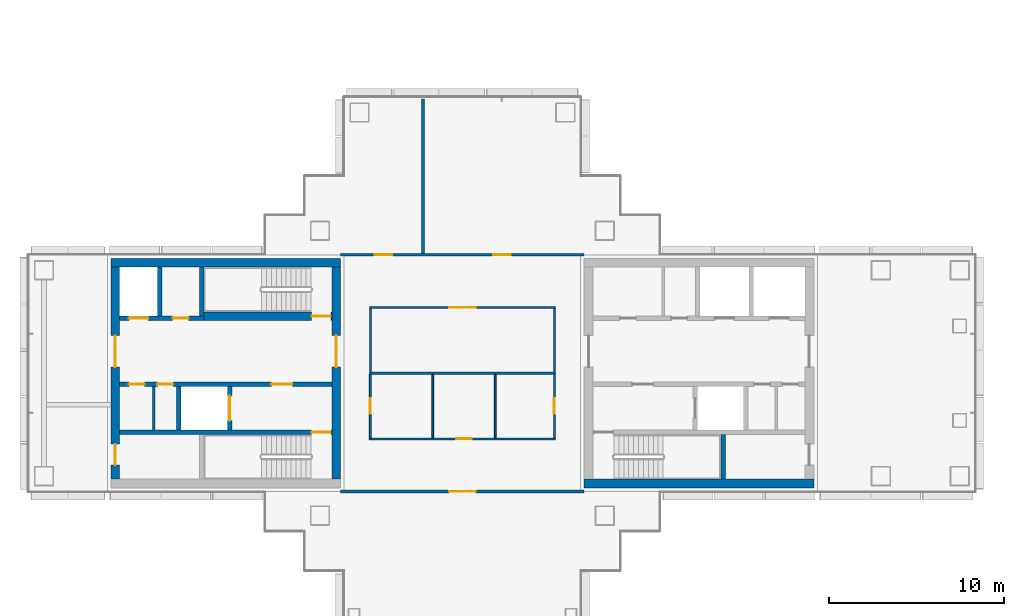
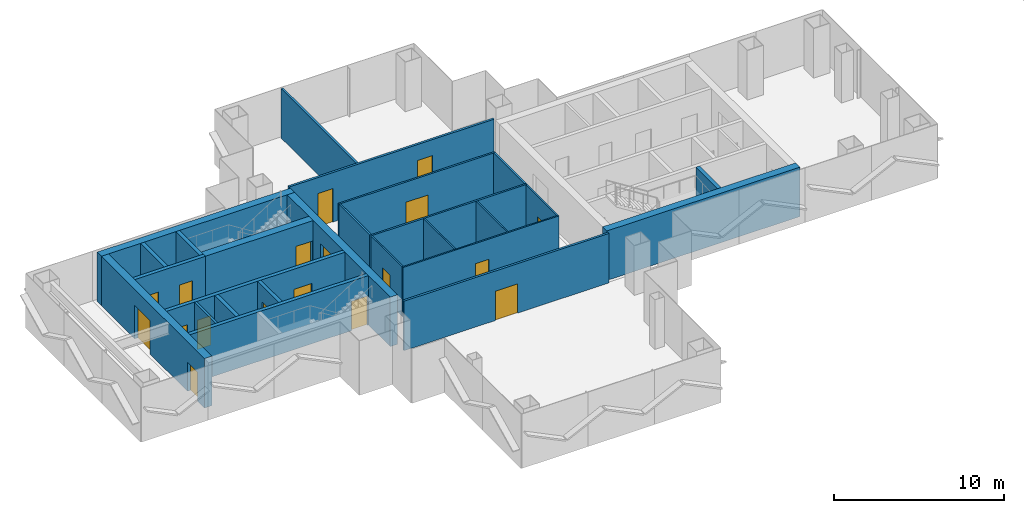
# One storey, part 9 of 16: 26 walls, 18 doors, 18 openings.
"""IFC4 building model written with IfcOpenShell, lengths in metres."""

from ifc_helpers import new_model, si_unit, direction, frame, frame_2d, origin, place, context, subcontext, project, spatial, rectangle, extrude, material, layer, layer_set, type_object, element, fill, save


model = new_model("IFC4")

# Units and contexts
model_context = context("Model", 3, precision=1e-05, world=origin(), true_north=direction((0.0, 1.0)))
body_context = subcontext(model_context, "Body", "Model", "MODEL_VIEW")
ifc_project = project(units=[si_unit("LENGTHUNIT", "METRE"), si_unit("AREAUNIT", "SQUARE_METRE"), si_unit("VOLUMEUNIT", "CUBIC_METRE"), si_unit("PLANEANGLEUNIT", "RADIAN"), si_unit("MASSUNIT", "GRAM", prefix="KILO")], contexts=[model_context])

# Site, building, storey
site_placement = place(None, origin())
site = spatial("IfcSite", under=ifc_project, at=site_placement, CompositionType="ELEMENT")
building_placement = place(site_placement, origin())
building = spatial("IfcBuilding", under=site, at=building_placement, Name="Shamsa Quay Exchange Towers", CompositionType="ELEMENT")
storey_placement = place(building_placement, frame((0.0, 0.0, 166.199951171875)))
storey = spatial("IfcBuildingStorey", under=building, at=storey_placement, Name="L39", CompositionType="ELEMENT", Elevation=166.199951171875)

# Walls
ifc_material_1 = material(Name="Concrete C60/75", Category="concrete")
ifc_layer_1 = layer(ifc_material_1, 0.5)
ifc_layer_set_1 = layer_set([ifc_layer_1], Name="CORE WALL 500 C60/75")
wall_type_1 = type_object("IfcWallType", Name="CORE WALL 500 C60/75", PredefinedType="SHEAR", material=ifc_layer_set_1)
wall_1_placement = place(storey_placement, frame((-26.800048828125, -6.300048828125, 0.0)))
element("IfcWall", 1, at=wall_1_placement, inside=storey, type_object=wall_type_1, Name="Core wall T1A-R18-PS", PredefinedType="SHEAR", context=body_context, shape_type="SweptSolid", body=[
    extrude(rectangle(XDim=13.10009765625, YDim=0.5, at=frame_2d((6.550048828125, 0.0))), origin(), (0.0, 0.0, 1.0), 3.550048828125),
])
wall_2_placement = place(storey_placement, frame((-40.699951171875, 6.300048828125, 0.0), z_axis=(0.0, 0.0, 1.0), x_axis=(-1.0, 0.0, 0.0)))
element("IfcWall", 2, at=wall_2_placement, inside=storey, type_object=wall_type_1, Name="Core wall T1B-R18-PN", PredefinedType="SHEAR", context=body_context, shape_type="SweptSolid", body=[
    extrude(rectangle(XDim=13.10009765625, YDim=0.5, at=frame_2d((6.550048828125, 0.0))), origin(), (0.0, 0.0, 1.0), 3.550048828125),
])

# Wall, opening, door
wall_3_placement = place(storey_placement, frame((-40.949951171875, -6.050048828125, 0.0), z_axis=(0.0, 0.0, 1.0), x_axis=(0.0, 1.0, 0.0)))
wall_3 = element("IfcWall", 3, at=wall_3_placement, inside=storey, type_object=wall_type_1, Name="Core wall T1B-R18-PF", PredefinedType="SHEAR", context=body_context, shape_type="SweptSolid", body=[
    extrude(rectangle(XDim=12.10009765625, YDim=0.5, at=frame_2d((6.050048828125, 0.0))), origin(), (0.0, 0.0, 1.0), 3.550048828125),
])
opening_1_placement = place(wall_3_placement, frame((6.39990234375, 0.0, 0.0)))
opening_1 = element("IfcOpeningElement", 4, at=opening_1_placement, cuts=wall_3, Name="Opening T1B-R18-LBD01", PredefinedType="OPENING", context=body_context, shape_type="SweptSolid", body=[
    extrude(rectangle(XDim=1.800048828125, YDim=2.39990234375, at=frame_2d((0.89990234375, 1.199951171875))), frame((0.0, 0.260009765625, 0.0), z_axis=(0.0, -1.0, 0.0), x_axis=(1.0, 0.0, 0.0)), (0.0, 0.0, 1.0), 0.52001953125),
])
ifc_material_2 = material(Name="Steel, fire rated", Category="steel")
door_type_1 = type_object("IfcDoorType", Name="LIFT LOBBY DOOR PAIR 1800", OperationType="DOUBLE_DOOR_SINGLE_SWING", PredefinedType="DOOR", material=ifc_material_2)
door_1_placement = place(opening_1_placement, origin())
door_1 = element("IfcDoor", 5, at=door_1_placement, inside=storey, type_object=door_type_1, Name="T1B-R18-LBD01", OperationType="DOUBLE_DOOR_SINGLE_SWING", OverallHeight=2.39990234375, OverallWidth=1.800048828125, PredefinedType="DOOR", context=body_context, shape_type="SweptSolid", body=[
    extrude(rectangle(XDim=1.800048828125, YDim=2.39990234375, at=frame_2d((0.89990234375, 1.199951171875))), frame((0.0, 0.02490234375, 0.0), z_axis=(0.0, -1.0, 0.0), x_axis=(1.0, 0.0, 0.0)), (0.0, 0.0, 1.0), 0.050048828125),
])
fill(opening_1, door_1)

# Wall, openings, doors
wall_4_placement = place(storey_placement, frame((-53.550048828125, -6.050048828125, 0.0), z_axis=(0.0, 0.0, 1.0), x_axis=(0.0, 1.0, 0.0)))
wall_4 = element("IfcWall", 6, at=wall_4_placement, inside=storey, type_object=wall_type_1, Name="Core wall T1B-R18-PB", PredefinedType="SHEAR", context=body_context, shape_type="SweptSolid", body=[
    extrude(rectangle(XDim=12.10009765625, YDim=0.5, at=frame_2d((6.050048828125, 0.0))), origin(), (0.0, 0.0, 1.0), 3.550048828125),
])
opening_2_placement = place(wall_4_placement, frame((0.800048828125, 0.0, 0.0)))
opening_2 = element("IfcOpeningElement", 7, at=opening_2_placement, cuts=wall_4, Name="Opening T1B-R18-RD02", PredefinedType="OPENING", context=body_context, shape_type="SweptSolid", body=[
    extrude(rectangle(XDim=1.199951171875, YDim=2.10009765625, at=frame_2d((0.60009765625, 1.050048828125))), frame((0.0, 0.260009765625, 0.0), z_axis=(0.0, -1.0, 0.0), x_axis=(1.0, 0.0, 0.0)), (0.0, 0.0, 1.0), 0.52001953125),
])
opening_3_placement = place(wall_4_placement, frame((6.39990234375, 0.0, 0.0)))
opening_3 = element("IfcOpeningElement", 8, at=opening_3_placement, cuts=wall_4, Name="Opening T1B-R18-LBD03", PredefinedType="OPENING", context=body_context, shape_type="SweptSolid", body=[
    extrude(rectangle(XDim=1.800048828125, YDim=2.39990234375, at=frame_2d((0.89990234375, 1.199951171875))), frame((0.0, 0.260009765625, 0.0), z_axis=(0.0, -1.0, 0.0), x_axis=(1.0, 0.0, 0.0)), (0.0, 0.0, 1.0), 0.52001953125),
])
door_2_placement = place(opening_3_placement, origin())
door_2 = element("IfcDoor", 9, at=door_2_placement, inside=storey, type_object=door_type_1, Name="T1B-R18-LBD03", OperationType="DOUBLE_DOOR_SINGLE_SWING", OverallHeight=2.39990234375, OverallWidth=1.800048828125, PredefinedType="DOOR", context=body_context, shape_type="SweptSolid", body=[
    extrude(rectangle(XDim=1.800048828125, YDim=2.39990234375, at=frame_2d((0.89990234375, 1.199951171875))), frame((0.0, 0.02490234375, 0.0), z_axis=(0.0, -1.0, 0.0), x_axis=(1.0, 0.0, 0.0)), (0.0, 0.0, 1.0), 0.050048828125),
])
fill(opening_3, door_2)
door_type_2 = type_object("IfcDoorType", Name="RISER ACCESS DOOR 1200", OperationType="SINGLE_SWING_LEFT", PredefinedType="DOOR", material=ifc_material_2)
door_3_placement = place(opening_2_placement, origin())
door_3 = element("IfcDoor", 10, at=door_3_placement, inside=storey, type_object=door_type_2, Name="T1B-R18-RD02", OperationType="SINGLE_SWING_LEFT", OverallHeight=2.10009765625, OverallWidth=1.199951171875, PredefinedType="DOOR", context=body_context, shape_type="SweptSolid", body=[
    extrude(rectangle(XDim=1.199951171875, YDim=2.10009765625, at=frame_2d((0.60009765625, 1.050048828125))), frame((0.0, 0.02490234375, 0.0), z_axis=(0.0, -1.0, 0.0), x_axis=(1.0, 0.0, 0.0)), (0.0, 0.0, 1.0), 0.050048828125),
])
fill(opening_2, door_3)

# Walls
ifc_material_3 = material(Name="Gypsum board on steel studs, EI 60", Category="steel")
ifc_layer_2 = layer(ifc_material_3, 0.14990234375)
ifc_layer_set_2 = layer_set([ifc_layer_2], Name="FIRE PARTITION 150")
wall_type_2 = type_object("IfcWallType", Name="FIRE PARTITION 150", PredefinedType="PARTITIONING", material=ifc_layer_set_2)
wall_5_placement = place(storey_placement, frame((-51.35009765625, -3.25, 0.0), z_axis=(0.0, 0.0, 1.0), x_axis=(0.0, 1.0, 0.0)))
element("IfcWall", 11, at=wall_5_placement, inside=storey, type_object=wall_type_2, Name="Partition T1B-R18-EC0", PredefinedType="PARTITIONING", context=body_context, shape_type="SweptSolid", body=[
    extrude(rectangle(XDim=2.5, YDim=0.14990234375, at=frame_2d((1.25, 0.0))), origin(), (0.0, 0.0, 1.0), 3.550048828125),
])
ifc_material_4 = material(Name="Laminated fire-resisting glass in a metal frame", Category="glass")
ifc_layer_3 = layer(ifc_material_4, 0.125)
ifc_layer_set_3 = layer_set([ifc_layer_3], Name="Glazed partition 125 mm EI 60")
wall_type_3 = type_object("IfcWallType", Name="Glazed partition 125 mm EI 60", PredefinedType="PARTITIONING", material=ifc_layer_set_3)
for number, where, z_axis, x_axis, name in (
    (12, (-39.0, 3.6875, 0.0), (0.0, 0.0, 1.0), (0.0, -1.0, 0.0), "Partition T1-R18-W04"),
    (13, (-28.5, 0.0625, 0.0), (0.0, 0.0, 1.0), (0.0, 1.0, 0.0), "Partition T1-R18-W05"),
):
    element("IfcWall", number, at=place(storey_placement, frame(where, z_axis=z_axis, x_axis=x_axis)), inside=storey, type_object=wall_type_3, Name=name, PredefinedType="PARTITIONING", context=body_context, shape_type="SweptSolid", body=[
        extrude(rectangle(XDim=3.625, YDim=0.125, at=frame_2d((1.8125, 0.0))), origin(), (0.0, 0.0, 1.0), 3.550048828125),
    ])

# Wall, opening, door
wall_6_placement = place(storey_placement, frame((-28.4375, 3.75, 0.0), z_axis=(0.0, 0.0, 1.0), x_axis=(-1.0, 0.0, 0.0)))
wall_6 = element("IfcWall", 14, at=wall_6_placement, inside=storey, type_object=wall_type_3, Name="Partition T1-R18-W06", PredefinedType="PARTITIONING", context=body_context, shape_type="SweptSolid", body=[
    extrude(rectangle(XDim=10.625, YDim=0.125, at=frame_2d((5.3125, 0.0))), origin(), (0.0, 0.0, 1.0), 3.550048828125),
])
opening_4_placement = place(wall_6_placement, frame((4.5625, 0.0, 0.0)))
opening_4 = element("IfcOpeningElement", 15, at=opening_4_placement, cuts=wall_6, Name="Opening T1-R18-D06", PredefinedType="OPENING", context=body_context, shape_type="SweptSolid", body=[
    extrude(rectangle(XDim=1.5, YDim=2.10009765625, at=frame_2d((0.75, 1.050048828125))), frame((0.0, 0.072509765625, 0.0), z_axis=(0.0, -1.0, 0.0), x_axis=(1.0, 0.0, 0.0)), (0.0, 0.0, 1.0), 0.14501953125),
])
ifc_material_5 = material(Name="Timber door leaf in a metal frame", Category="wood")
door_type_3 = type_object("IfcDoorType", Name="Door 1500x2100 FD30S pair", OperationType="NOTDEFINED", PredefinedType="DOOR", material=ifc_material_5)
door_4_placement = place(opening_4_placement, origin())
door_4 = element("IfcDoor", 16, at=door_4_placement, inside=storey, type_object=door_type_3, Name="Door T1-R18-D06", OperationType="DOUBLE_DOOR_SINGLE_SWING", OverallHeight=2.10009765625, OverallWidth=1.5, PredefinedType="DOOR", context=body_context, shape_type="SweptSolid", body=[
    extrude(rectangle(XDim=1.5, YDim=2.10009765625, at=frame_2d((0.75, 1.050048828125))), frame((0.0, 0.02490234375, 0.0), z_axis=(0.0, -1.0, 0.0), x_axis=(1.0, 0.0, 0.0)), (0.0, 0.0, 1.0), 0.050048828125),
])
fill(opening_4, door_4)

# Wall
wall_7_placement = place(storey_placement, frame((-28.4375, 0.0, 0.0), z_axis=(0.0, 0.0, 1.0), x_axis=(-1.0, 0.0, 0.0)))
element("IfcWall", 17, at=wall_7_placement, inside=storey, type_object=wall_type_3, Name="Partition T1-R18-W10", PredefinedType="PARTITIONING", context=body_context, shape_type="SweptSolid", body=[
    extrude(rectangle(XDim=10.625, YDim=0.125, at=frame_2d((5.3125, 0.0))), origin(), (0.0, 0.0, 1.0), 3.550048828125),
])

# Wall, opening, door
ifc_material_6 = material(Name="Gypsum board partition on metal studs")
ifc_layer_4 = layer(ifc_material_6, 0.10009765625)
ifc_layer_set_4 = layer_set([ifc_layer_4], Name="Partition 100 mm NOT RATED")
wall_type_4 = type_object("IfcWallType", Name="Partition 100 mm NOT RATED", PredefinedType="PARTITIONING", material=ifc_layer_set_4)
wall_8_placement = place(storey_placement, frame((-39.0, -0.0625, 0.0), z_axis=(0.0, 0.0, 1.0), x_axis=(0.0, -1.0, 0.0)))
wall_8 = element("IfcWall", 18, at=wall_8_placement, inside=storey, type_object=wall_type_4, Name="Partition T1-R18-W01", PredefinedType="PARTITIONING", context=body_context, shape_type="SweptSolid", body=[
    extrude(rectangle(XDim=3.637451171875, YDim=0.10009765625, at=frame_2d((1.81884765625, 0.0))), origin(), (0.0, 0.0, 1.0), 3.550048828125),
])
opening_5_placement = place(wall_8_placement, frame((1.362548828125, 0.0, 0.0)))
opening_5 = element("IfcOpeningElement", 19, at=opening_5_placement, cuts=wall_8, Name="Opening T1-R18-D04", PredefinedType="OPENING", context=body_context, shape_type="SweptSolid", body=[
    extrude(rectangle(XDim=0.89990234375, YDim=2.10009765625, at=frame_2d((0.449951171875, 1.050048828125))), frame((0.0, 0.06005859375, 0.0), z_axis=(0.0, -1.0, 0.0), x_axis=(1.0, 0.0, 0.0)), (0.0, 0.0, 1.0), 0.1201171875),
])
door_type_4 = type_object("IfcDoorType", Name="Door 900x2100 NOT RATED", OperationType="NOTDEFINED", PredefinedType="DOOR", material=ifc_material_5)
door_5_placement = place(opening_5_placement, origin())
door_5 = element("IfcDoor", 20, at=door_5_placement, inside=storey, type_object=door_type_4, Name="Door T1-R18-D04", OperationType="SINGLE_SWING_LEFT", OverallHeight=2.10009765625, OverallWidth=0.89990234375, PredefinedType="DOOR", context=body_context, shape_type="SweptSolid", body=[
    extrude(rectangle(XDim=0.89990234375, YDim=2.10009765625, at=frame_2d((0.449951171875, 1.050048828125))), frame((0.0, 0.02490234375, 0.0), z_axis=(0.0, -1.0, 0.0), x_axis=(1.0, 0.0, 0.0)), (0.0, 0.0, 1.0), 0.050048828125),
])
fill(opening_5, door_5)

wall_9_placement = place(storey_placement, frame((-39.050048828125, -3.75, 0.0)))
wall_9 = element("IfcWall", 21, at=wall_9_placement, inside=storey, type_object=wall_type_4, Name="Partition T1-R18-W02", PredefinedType="PARTITIONING", context=body_context, shape_type="SweptSolid", body=[
    extrude(rectangle(XDim=10.60009765625, YDim=0.10009765625, at=frame_2d((5.300048828125, 0.0))), origin(), (0.0, 0.0, 1.0), 3.550048828125),
])
opening_6_placement = place(wall_9_placement, frame((4.943603515625, 0.0, 0.0)))
opening_6 = element("IfcOpeningElement", 22, at=opening_6_placement, cuts=wall_9, Name="Opening T1-R18-D03", PredefinedType="OPENING", context=body_context, shape_type="SweptSolid", body=[
    extrude(rectangle(XDim=0.89990234375, YDim=2.10009765625, at=frame_2d((0.449951171875, 1.050048828125))), frame((0.0, 0.06005859375, 0.0), z_axis=(0.0, -1.0, 0.0), x_axis=(1.0, 0.0, 0.0)), (0.0, 0.0, 1.0), 0.1201171875),
])
door_6_placement = place(opening_6_placement, origin())
door_6 = element("IfcDoor", 23, at=door_6_placement, inside=storey, type_object=door_type_4, Name="Door T1-R18-D03", OperationType="SINGLE_SWING_RIGHT", OverallHeight=2.10009765625, OverallWidth=0.89990234375, PredefinedType="DOOR", context=body_context, shape_type="SweptSolid", body=[
    extrude(rectangle(XDim=0.89990234375, YDim=2.10009765625, at=frame_2d((0.449951171875, 1.050048828125))), frame((0.0, 0.02490234375, 0.0), z_axis=(0.0, -1.0, 0.0), x_axis=(1.0, 0.0, 0.0)), (0.0, 0.0, 1.0), 0.050048828125),
])
fill(opening_6, door_6)

wall_10_placement = place(storey_placement, frame((-28.5, -3.699951171875, 0.0), z_axis=(0.0, 0.0, 1.0), x_axis=(0.0, 1.0, 0.0)))
wall_10 = element("IfcWall", 24, at=wall_10_placement, inside=storey, type_object=wall_type_4, Name="Partition T1-R18-W03", PredefinedType="PARTITIONING", context=body_context, shape_type="SweptSolid", body=[
    extrude(rectangle(XDim=3.637451171875, YDim=0.10009765625, at=frame_2d((1.81884765625, 0.0))), origin(), (0.0, 0.0, 1.0), 3.550048828125),
])
opening_7_placement = place(wall_10_placement, frame((1.375, 0.0, 0.0)))
opening_7 = element("IfcOpeningElement", 25, at=opening_7_placement, cuts=wall_10, Name="Opening T1-R18-D05", PredefinedType="OPENING", context=body_context, shape_type="SweptSolid", body=[
    extrude(rectangle(XDim=0.89990234375, YDim=2.10009765625, at=frame_2d((0.449951171875, 1.050048828125))), frame((0.0, 0.06005859375, 0.0), z_axis=(0.0, -1.0, 0.0), x_axis=(1.0, 0.0, 0.0)), (0.0, 0.0, 1.0), 0.1201171875),
])
door_7_placement = place(opening_7_placement, origin())
door_7 = element("IfcDoor", 26, at=door_7_placement, inside=storey, type_object=door_type_4, Name="Door T1-R18-D05", OperationType="SINGLE_SWING_RIGHT", OverallHeight=2.10009765625, OverallWidth=0.89990234375, PredefinedType="DOOR", context=body_context, shape_type="SweptSolid", body=[
    extrude(rectangle(XDim=0.89990234375, YDim=2.10009765625, at=frame_2d((0.449951171875, 1.050048828125))), frame((0.0, 0.02490234375, 0.0), z_axis=(0.0, -1.0, 0.0), x_axis=(1.0, 0.0, 0.0)), (0.0, 0.0, 1.0), 0.050048828125),
])
fill(opening_7, door_7)

# Walls
for number, where, z_axis, x_axis, name in (
    (27, (-35.4375, -3.699951171875, 0.0), (0.0, 0.0, 1.0), (0.0, 1.0, 0.0), "Partition T1-R18-W09"),
    (28, (-31.875, -3.699951171875, 0.0), (0.0, 0.0, 1.0), (0.0, 1.0, 0.0), "Partition T1-R18-W11"),
):
    element("IfcWall", number, at=place(storey_placement, frame(where, z_axis=z_axis, x_axis=x_axis)), inside=storey, type_object=wall_type_4, Name=name, PredefinedType="PARTITIONING", context=body_context, shape_type="SweptSolid", body=[
        extrude(rectangle(XDim=3.637451171875, YDim=0.10009765625, at=frame_2d((1.81884765625, 0.0))), origin(), (0.0, 0.0, 1.0), 3.550048828125),
    ])

# Wall, openings, doors
ifc_layer_5 = layer(ifc_material_6, 0.14990234375)
ifc_layer_set_5 = layer_set([ifc_layer_5], Name="Partition 150 mm EI 60")
wall_type_5 = type_object("IfcWallType", Name="Partition 150 mm EI 60", PredefinedType="PARTITIONING", material=ifc_layer_set_5)
wall_11_placement = place(storey_placement, frame((-40.699951171875, 6.75, 0.0)))
wall_11 = element("IfcWall", 29, at=wall_11_placement, inside=storey, type_object=wall_type_5, Name="Partition T1-R18-W07", PredefinedType="PARTITIONING", context=body_context, shape_type="SweptSolid", body=[
    extrude(rectangle(XDim=13.89990234375, YDim=0.14990234375, at=frame_2d((6.949951171875, 0.0))), origin(), (0.0, 0.0, 1.0), 3.550048828125),
])
opening_8_placement = place(wall_11_placement, frame((1.949951171875, 0.0, 0.0)))
opening_8 = element("IfcOpeningElement", 30, at=opening_8_placement, cuts=wall_11, Name="Opening T1-R18-D01", PredefinedType="OPENING", context=body_context, shape_type="SweptSolid", body=[
    extrude(rectangle(XDim=1.0, YDim=2.39990234375, at=frame_2d((0.5, 1.199951171875))), frame((0.0, 0.0849609375, 0.0), z_axis=(0.0, -1.0, 0.0), x_axis=(1.0, 0.0, 0.0)), (0.0, 0.0, 1.0), 0.169921875),
])
opening_9_placement = place(wall_11_placement, frame((8.699951171875, 0.0, 0.0)))
opening_9 = element("IfcOpeningElement", 31, at=opening_9_placement, cuts=wall_11, Name="Opening T1-R18-D02", PredefinedType="OPENING", context=body_context, shape_type="SweptSolid", body=[
    extrude(rectangle(XDim=1.0, YDim=2.39990234375, at=frame_2d((0.5, 1.199951171875))), frame((0.0, 0.0849609375, 0.0), z_axis=(0.0, -1.0, 0.0), x_axis=(1.0, 0.0, 0.0)), (0.0, 0.0, 1.0), 0.169921875),
])
door_type_5 = type_object("IfcDoorType", Name="Door 1000x2400 FD30S", OperationType="NOTDEFINED", PredefinedType="DOOR", material=ifc_material_5)
door_8_placement = place(opening_8_placement, origin())
door_8 = element("IfcDoor", 32, at=door_8_placement, inside=storey, type_object=door_type_5, Name="Door T1-R18-D01", OperationType="SINGLE_SWING_RIGHT", OverallHeight=2.39990234375, OverallWidth=1.0, PredefinedType="DOOR", context=body_context, shape_type="SweptSolid", body=[
    extrude(rectangle(XDim=1.0, YDim=2.39990234375, at=frame_2d((0.5, 1.199951171875))), frame((0.0, 0.02490234375, 0.0), z_axis=(0.0, -1.0, 0.0), x_axis=(1.0, 0.0, 0.0)), (0.0, 0.0, 1.0), 0.050048828125),
])
fill(opening_8, door_8)
door_9_placement = place(opening_9_placement, origin())
door_9 = element("IfcDoor", 33, at=door_9_placement, inside=storey, type_object=door_type_5, Name="Door T1-R18-D02", OperationType="SINGLE_SWING_LEFT", OverallHeight=2.39990234375, OverallWidth=1.0, PredefinedType="DOOR", context=body_context, shape_type="SweptSolid", body=[
    extrude(rectangle(XDim=1.0, YDim=2.39990234375, at=frame_2d((0.5, 1.199951171875))), frame((0.0, 0.02490234375, 0.0), z_axis=(0.0, -1.0, 0.0), x_axis=(1.0, 0.0, 0.0)), (0.0, 0.0, 1.0), 0.050048828125),
])
fill(opening_9, door_9)

# Wall, opening, door
wall_12_placement = place(storey_placement, frame((-26.800048828125, -6.75, 0.0), z_axis=(0.0, 0.0, 1.0), x_axis=(-1.0, 0.0, 0.0)))
wall_12 = element("IfcWall", 34, at=wall_12_placement, inside=storey, type_object=wall_type_5, Name="Partition T1-R18-W08", PredefinedType="PARTITIONING", context=body_context, shape_type="SweptSolid", body=[
    extrude(rectangle(XDim=13.89990234375, YDim=0.14990234375, at=frame_2d((6.949951171875, 0.0))), origin(), (0.0, 0.0, 1.0), 3.550048828125),
])
opening_10_placement = place(wall_12_placement, frame((6.199951171875, 0.0, 0.0)))
opening_10 = element("IfcOpeningElement", 35, at=opening_10_placement, cuts=wall_12, Name="Opening T1-R18-D07", PredefinedType="OPENING", context=body_context, shape_type="SweptSolid", body=[
    extrude(rectangle(XDim=1.5, YDim=2.10009765625, at=frame_2d((0.75, 1.050048828125))), frame((0.0, 0.0849609375, 0.0), z_axis=(0.0, -1.0, 0.0), x_axis=(1.0, 0.0, 0.0)), (0.0, 0.0, 1.0), 0.169921875),
])
door_10_placement = place(opening_10_placement, origin())
door_10 = element("IfcDoor", 36, at=door_10_placement, inside=storey, type_object=door_type_3, Name="Door T1-R18-D07", OperationType="DOUBLE_DOOR_SINGLE_SWING", OverallHeight=2.10009765625, OverallWidth=1.5, PredefinedType="DOOR", context=body_context, shape_type="SweptSolid", body=[
    extrude(rectangle(XDim=1.5, YDim=2.10009765625, at=frame_2d((0.75, 1.050048828125))), frame((0.0, 0.02490234375, 0.0), z_axis=(0.0, -1.0, 0.0), x_axis=(1.0, 0.0, 0.0)), (0.0, 0.0, 1.0), 0.050048828125),
])
fill(opening_10, door_10)

# Walls
wall_13_placement = place(storey_placement, frame((-36.0, 6.824951171875, 0.0), z_axis=(0.0, 0.0, 1.0), x_axis=(0.0, 1.0, 0.0)))
element("IfcWall", 37, at=wall_13_placement, inside=storey, type_object=wall_type_5, Name="Partition T1-R18-W12", PredefinedType="PARTITIONING", context=body_context, shape_type="SweptSolid", body=[
    extrude(rectangle(XDim=8.830078125, YDim=0.14990234375, at=frame_2d((4.4150390625, 0.0))), origin(), (0.0, 0.0, 1.0), 3.550048828125),
])
ifc_material_7 = material(Name="Concrete C50/60", Category="concrete")
ifc_layer_6 = layer(ifc_material_7, 0.25)
ifc_layer_set_6 = layer_set([ifc_layer_6], Name="SHAFT WALL 250 C50/60")
wall_type_6 = type_object("IfcWallType", Name="SHAFT WALL 250 C50/60", PredefinedType="SHEAR", material=ifc_layer_set_6)
wall_14_placement = place(storey_placement, frame((-18.875, -6.050048828125, 0.0), z_axis=(0.0, 0.0, 1.0), x_axis=(0.0, 1.0, 0.0)))
element("IfcWall", 38, at=wall_14_placement, inside=storey, type_object=wall_type_6, Name="Shaft wall T1A-R18-STF", PredefinedType="SHEAR", context=body_context, shape_type="SweptSolid", body=[
    extrude(rectangle(XDim=2.550048828125, YDim=0.25, at=frame_2d((1.27490234375, 0.0))), origin(), (0.0, 0.0, 1.0), 3.550048828125),
])

# Wall, opening, door
wall_15_placement = place(storey_placement, frame((-41.199951171875, -3.375, 0.0), z_axis=(0.0, 0.0, 1.0), x_axis=(-1.0, 0.0, 0.0)))
wall_15 = element("IfcWall", 39, at=wall_15_placement, inside=storey, type_object=wall_type_6, Name="Shaft wall T1B-R18-STL", PredefinedType="SHEAR", context=body_context, shape_type="SweptSolid", body=[
    extrude(rectangle(XDim=12.10009765625, YDim=0.25, at=frame_2d((6.050048828125, 0.0))), origin(), (0.0, 0.0, 1.0), 3.550048828125),
])
opening_11_placement = place(wall_15_placement, frame((0.050048828125, 0.0, 0.0)))
opening_11 = element("IfcOpeningElement", 40, at=opening_11_placement, cuts=wall_15, Name="Opening T1B-R18-SD04", PredefinedType="OPENING", context=body_context, shape_type="SweptSolid", body=[
    extrude(rectangle(XDim=1.10009765625, YDim=2.10009765625, at=frame_2d((0.550048828125, 1.050048828125))), frame((0.0, 0.135009765625, 0.0), z_axis=(0.0, -1.0, 0.0), x_axis=(1.0, 0.0, 0.0)), (0.0, 0.0, 1.0), 0.27001953125),
])
door_type_6 = type_object("IfcDoorType", Name="STAIR DOOR 1100", OperationType="SINGLE_SWING_LEFT", PredefinedType="DOOR", material=ifc_material_2)
door_11_placement = place(opening_11_placement, origin())
door_11 = element("IfcDoor", 41, at=door_11_placement, inside=storey, type_object=door_type_6, Name="T1B-R18-SD04", OperationType="SINGLE_SWING_LEFT", OverallHeight=2.10009765625, OverallWidth=1.10009765625, PredefinedType="DOOR", context=body_context, shape_type="SweptSolid", body=[
    extrude(rectangle(XDim=1.10009765625, YDim=2.10009765625, at=frame_2d((0.550048828125, 1.050048828125))), frame((0.0, 0.02490234375, 0.0), z_axis=(0.0, -1.0, 0.0), x_axis=(1.0, 0.0, 0.0)), (0.0, 0.0, 1.0), 0.050048828125),
])
fill(opening_11, door_11)

# Wall, openings, doors
wall_16_placement = place(storey_placement, frame((-41.199951171875, -0.625, 0.0), z_axis=(0.0, 0.0, 1.0), x_axis=(-1.0, 0.0, 0.0)))
wall_16 = element("IfcWall", 42, at=wall_16_placement, inside=storey, type_object=wall_type_6, Name="Shaft wall T1B-R18-B", PredefinedType="SHEAR", context=body_context, shape_type="SweptSolid", body=[
    extrude(rectangle(XDim=12.10009765625, YDim=0.25, at=frame_2d((6.050048828125, 0.0))), origin(), (0.0, 0.0, 1.0), 3.550048828125),
])
opening_12_placement = place(wall_16_placement, frame((2.25, 0.0, 0.0)))
opening_12 = element("IfcOpeningElement", 43, at=opening_12_placement, cuts=wall_16, Name="Opening T1B-R18-FD05", PredefinedType="OPENING", context=body_context, shape_type="SweptSolid", body=[
    extrude(rectangle(XDim=1.199951171875, YDim=2.10009765625, at=frame_2d((0.60009765625, 1.050048828125))), frame((0.0, 0.135009765625, 0.0), z_axis=(0.0, -1.0, 0.0), x_axis=(1.0, 0.0, 0.0)), (0.0, 0.0, 1.0), 0.27001953125),
])
opening_13_placement = place(wall_16_placement, frame((9.050048828125, 0.0, 0.0)))
opening_13 = element("IfcOpeningElement", 44, at=opening_13_placement, cuts=wall_16, Name="Opening T1B-R18-SV06", PredefinedType="OPENING", context=body_context, shape_type="SweptSolid", body=[
    extrude(rectangle(XDim=0.89990234375, YDim=2.10009765625, at=frame_2d((0.449951171875, 1.050048828125))), frame((0.0, 0.135009765625, 0.0), z_axis=(0.0, -1.0, 0.0), x_axis=(1.0, 0.0, 0.0)), (0.0, 0.0, 1.0), 0.27001953125),
])
opening_14_placement = place(wall_16_placement, frame((10.675048828125, 0.0, 0.0)))
opening_14 = element("IfcOpeningElement", 45, at=opening_14_placement, cuts=wall_16, Name="Opening T1B-R18-SV07", PredefinedType="OPENING", context=body_context, shape_type="SweptSolid", body=[
    extrude(rectangle(XDim=0.89990234375, YDim=2.10009765625, at=frame_2d((0.449951171875, 1.050048828125))), frame((0.0, 0.135009765625, 0.0), z_axis=(0.0, -1.0, 0.0), x_axis=(1.0, 0.0, 0.0)), (0.0, 0.0, 1.0), 0.27001953125),
])
door_type_7 = type_object("IfcDoorType", Name="FIRE SERVICE LOBBY DOOR 1200", OperationType="SINGLE_SWING_LEFT", PredefinedType="DOOR", material=ifc_material_2)
door_12_placement = place(opening_12_placement, origin())
door_12 = element("IfcDoor", 46, at=door_12_placement, inside=storey, type_object=door_type_7, Name="T1B-R18-FD05", OperationType="SINGLE_SWING_LEFT", OverallHeight=2.10009765625, OverallWidth=1.199951171875, PredefinedType="DOOR", context=body_context, shape_type="SweptSolid", body=[
    extrude(rectangle(XDim=1.199951171875, YDim=2.10009765625, at=frame_2d((0.60009765625, 1.050048828125))), frame((0.0, 0.02490234375, 0.0), z_axis=(0.0, -1.0, 0.0), x_axis=(1.0, 0.0, 0.0)), (0.0, 0.0, 1.0), 0.050048828125),
])
fill(opening_12, door_12)
door_type_8 = type_object("IfcDoorType", Name="SERVICE ROOM DOOR 900", OperationType="SINGLE_SWING_LEFT", PredefinedType="DOOR", material=ifc_material_2)
door_13_placement = place(opening_13_placement, origin())
door_13 = element("IfcDoor", 47, at=door_13_placement, inside=storey, type_object=door_type_8, Name="T1B-R18-SV06", OperationType="SINGLE_SWING_RIGHT", OverallHeight=2.10009765625, OverallWidth=0.89990234375, PredefinedType="DOOR", context=body_context, shape_type="SweptSolid", body=[
    extrude(rectangle(XDim=0.89990234375, YDim=2.10009765625, at=frame_2d((0.449951171875, 1.050048828125))), frame((0.0, 0.02490234375, 0.0), z_axis=(0.0, -1.0, 0.0), x_axis=(1.0, 0.0, 0.0)), (0.0, 0.0, 1.0), 0.050048828125),
])
fill(opening_13, door_13)
door_14_placement = place(opening_14_placement, origin())
door_14 = element("IfcDoor", 48, at=door_14_placement, inside=storey, type_object=door_type_8, Name="T1B-R18-SV07", OperationType="SINGLE_SWING_RIGHT", OverallHeight=2.10009765625, OverallWidth=0.89990234375, PredefinedType="DOOR", context=body_context, shape_type="SweptSolid", body=[
    extrude(rectangle(XDim=0.89990234375, YDim=2.10009765625, at=frame_2d((0.449951171875, 1.050048828125))), frame((0.0, 0.02490234375, 0.0), z_axis=(0.0, -1.0, 0.0), x_axis=(1.0, 0.0, 0.0)), (0.0, 0.0, 1.0), 0.050048828125),
])
fill(opening_14, door_14)

# Wall, opening, door
wall_17_placement = place(storey_placement, frame((-47.02490234375, -3.25, 0.0), z_axis=(0.0, 0.0, 1.0), x_axis=(0.0, 1.0, 0.0)))
wall_17 = element("IfcWall", 49, at=wall_17_placement, inside=storey, type_object=wall_type_6, Name="Shaft wall T1B-R18-FFF", PredefinedType="SHEAR", context=body_context, shape_type="SweptSolid", body=[
    extrude(rectangle(XDim=2.5, YDim=0.25, at=frame_2d((1.25, 0.0))), origin(), (0.0, 0.0, 1.0), 3.550048828125),
])
opening_15_placement = place(wall_17_placement, frame((0.550048828125, 0.0, 0.0)))
opening_15 = element("IfcOpeningElement", 50, at=opening_15_placement, cuts=wall_17, Name="Opening T1B-R18-LDG08", PredefinedType="OPENING", context=body_context, shape_type="SweptSolid", body=[
    extrude(rectangle(XDim=1.39990234375, YDim=2.39990234375, at=frame_2d((0.699951171875, 1.199951171875))), frame((0.0, 0.135009765625, 0.0), z_axis=(0.0, -1.0, 0.0), x_axis=(1.0, 0.0, 0.0)), (0.0, 0.0, 1.0), 0.27001953125),
])
door_type_9 = type_object("IfcDoorType", Name="GOODS LIFT LANDING DOOR 1400", OperationType="SLIDING_TO_LEFT", PredefinedType="DOOR", material=ifc_material_2)
door_15_placement = place(opening_15_placement, origin())
door_15 = element("IfcDoor", 51, at=door_15_placement, inside=storey, type_object=door_type_9, Name="T1B-R18-LDG08", OperationType="SLIDING_TO_LEFT", OverallHeight=2.39990234375, OverallWidth=1.39990234375, PredefinedType="DOOR", context=body_context, shape_type="SweptSolid", body=[
    extrude(rectangle(XDim=1.39990234375, YDim=2.39990234375, at=frame_2d((0.699951171875, 1.199951171875))), frame((0.0, 0.02490234375, 0.0), z_axis=(0.0, -1.0, 0.0), x_axis=(1.0, 0.0, 0.0)), (0.0, 0.0, 1.0), 0.050048828125),
])
fill(opening_15, door_15)

# Wall
wall_18_placement = place(storey_placement, frame((-49.925048828125, -3.25, 0.0), z_axis=(0.0, 0.0, 1.0), x_axis=(0.0, 1.0, 0.0)))
element("IfcWall", 52, at=wall_18_placement, inside=storey, type_object=wall_type_6, Name="Shaft wall T1B-R18-FFB", PredefinedType="SHEAR", context=body_context, shape_type="SweptSolid", body=[
    extrude(rectangle(XDim=2.5, YDim=0.25, at=frame_2d((1.25, 0.0))), origin(), (0.0, 0.0, 1.0), 3.550048828125),
])

# Wall, openings, doors
wall_19_placement = place(storey_placement, frame((-53.300048828125, 3.125, 0.0)))
wall_19 = element("IfcWall", 53, at=wall_19_placement, inside=storey, type_object=wall_type_6, Name="Shaft wall T1B-R18-N2", PredefinedType="SHEAR", context=body_context, shape_type="SweptSolid", body=[
    extrude(rectangle(XDim=4.800048828125, YDim=0.25, at=frame_2d((2.39990234375, 0.0))), origin(), (0.0, 0.0, 1.0), 3.550048828125),
])
opening_16_placement = place(wall_19_placement, frame((0.52490234375, 0.0, 0.0)))
opening_16 = element("IfcOpeningElement", 54, at=opening_16_placement, cuts=wall_19, Name="Opening T1B-R18-LD10", PredefinedType="OPENING", context=body_context, shape_type="SweptSolid", body=[
    extrude(rectangle(XDim=1.10009765625, YDim=2.10009765625, at=frame_2d((0.550048828125, 1.050048828125))), frame((0.0, 0.135009765625, 0.0), z_axis=(0.0, -1.0, 0.0), x_axis=(1.0, 0.0, 0.0)), (0.0, 0.0, 1.0), 0.27001953125),
])
opening_17_placement = place(wall_19_placement, frame((3.02490234375, 0.0, 0.0)))
opening_17 = element("IfcOpeningElement", 55, at=opening_17_placement, cuts=wall_19, Name="Opening T1B-R18-SV11", PredefinedType="OPENING", context=body_context, shape_type="SweptSolid", body=[
    extrude(rectangle(XDim=0.89990234375, YDim=2.10009765625, at=frame_2d((0.449951171875, 1.050048828125))), frame((0.0, 0.135009765625, 0.0), z_axis=(0.0, -1.0, 0.0), x_axis=(1.0, 0.0, 0.0)), (0.0, 0.0, 1.0), 0.27001953125),
])
door_type_10 = type_object("IfcDoorType", Name="LANDING DOOR 1100", OperationType="SLIDING_TO_LEFT", PredefinedType="DOOR", material=ifc_material_2)
door_16_placement = place(opening_16_placement, origin())
door_16 = element("IfcDoor", 56, at=door_16_placement, inside=storey, type_object=door_type_10, Name="T1B-R18-LD10", OperationType="SLIDING_TO_LEFT", OverallHeight=2.10009765625, OverallWidth=1.10009765625, PredefinedType="DOOR", context=body_context, shape_type="SweptSolid", body=[
    extrude(rectangle(XDim=1.10009765625, YDim=2.10009765625, at=frame_2d((0.550048828125, 1.050048828125))), frame((0.0, 0.02490234375, 0.0), z_axis=(0.0, -1.0, 0.0), x_axis=(1.0, 0.0, 0.0)), (0.0, 0.0, 1.0), 0.050048828125),
])
fill(opening_16, door_16)
door_17_placement = place(opening_17_placement, origin())
door_17 = element("IfcDoor", 57, at=door_17_placement, inside=storey, type_object=door_type_8, Name="T1B-R18-SV11", OperationType="SINGLE_SWING_RIGHT", OverallHeight=2.10009765625, OverallWidth=0.89990234375, PredefinedType="DOOR", context=body_context, shape_type="SweptSolid", body=[
    extrude(rectangle(XDim=0.89990234375, YDim=2.10009765625, at=frame_2d((0.449951171875, 1.050048828125))), frame((0.0, 0.02490234375, 0.0), z_axis=(0.0, -1.0, 0.0), x_axis=(1.0, 0.0, 0.0)), (0.0, 0.0, 1.0), 0.050048828125),
])
fill(opening_17, door_17)

# Walls
for number, where, z_axis, x_axis, name in (
    (58, (-48.625, 3.25, 0.0), (0.0, 0.0, 1.0), (0.0, 1.0, 0.0), "Shaft wall T1B-R18-STF2"),
    (59, (-51.02490234375, 3.25, 0.0), (0.0, 0.0, 1.0), (0.0, 1.0, 0.0), "Shaft wall T1B-R18-D0"),
):
    element("IfcWall", number, at=place(storey_placement, frame(where, z_axis=z_axis, x_axis=x_axis)), inside=storey, type_object=wall_type_6, Name=name, PredefinedType="SHEAR", context=body_context, shape_type="SweptSolid", body=[
        extrude(rectangle(XDim=2.800048828125, YDim=0.25, at=frame_2d((1.39990234375, 0.0))), origin(), (0.0, 0.0, 1.0), 3.550048828125),
    ])

# Wall, opening, door
ifc_layer_7 = layer(ifc_material_7, 0.5)
ifc_layer_set_7 = layer_set([ifc_layer_7], Name="SHAFT WALL 500 C50/60")
wall_type_7 = type_object("IfcWallType", Name="SHAFT WALL 500 C50/60", PredefinedType="SHEAR", material=ifc_layer_set_7)
wall_20_placement = place(storey_placement, frame((-48.5, 3.25, 0.0)))
wall_20 = element("IfcWall", 60, at=wall_20_placement, inside=storey, type_object=wall_type_7, Name="Shaft wall T1B-R18-N", PredefinedType="SHEAR", context=body_context, shape_type="SweptSolid", body=[
    extrude(rectangle(XDim=7.300048828125, YDim=0.5, at=frame_2d((3.64990234375, 0.0))), origin(), (0.0, 0.0, 1.0), 3.550048828125),
])
opening_18_placement = place(wall_20_placement, frame((6.14990234375, 0.0, 0.0)))
opening_18 = element("IfcOpeningElement", 61, at=opening_18_placement, cuts=wall_20, Name="Opening T1B-R18-SD09", PredefinedType="OPENING", context=body_context, shape_type="SweptSolid", body=[
    extrude(rectangle(XDim=1.10009765625, YDim=2.10009765625, at=frame_2d((0.550048828125, 1.050048828125))), frame((0.0, 0.260009765625, 0.0), z_axis=(0.0, -1.0, 0.0), x_axis=(1.0, 0.0, 0.0)), (0.0, 0.0, 1.0), 0.52001953125),
])
door_18_placement = place(opening_18_placement, origin())
door_18 = element("IfcDoor", 62, at=door_18_placement, inside=storey, type_object=door_type_6, Name="T1B-R18-SD09", OperationType="SINGLE_SWING_RIGHT", OverallHeight=2.10009765625, OverallWidth=1.10009765625, PredefinedType="DOOR", context=body_context, shape_type="SweptSolid", body=[
    extrude(rectangle(XDim=1.10009765625, YDim=2.10009765625, at=frame_2d((0.550048828125, 1.050048828125))), frame((0.0, 0.02490234375, 0.0), z_axis=(0.0, -1.0, 0.0), x_axis=(1.0, 0.0, 0.0)), (0.0, 0.0, 1.0), 0.050048828125),
])
fill(opening_18, door_18)

save(model, "model.ifc")
